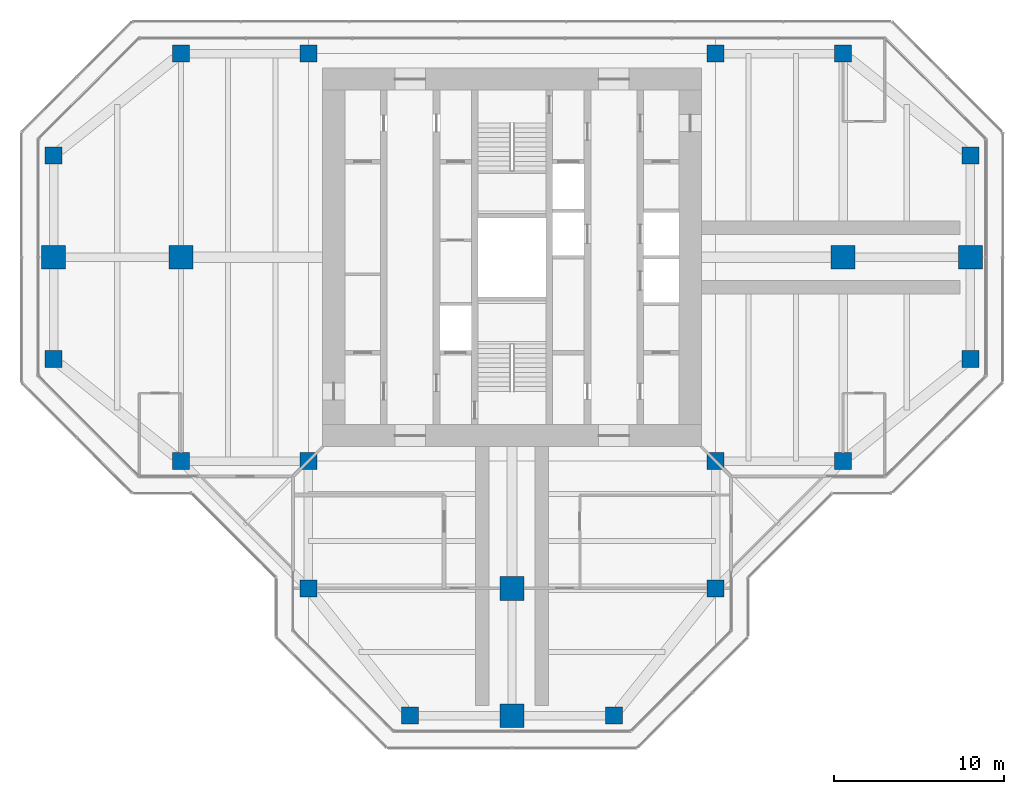
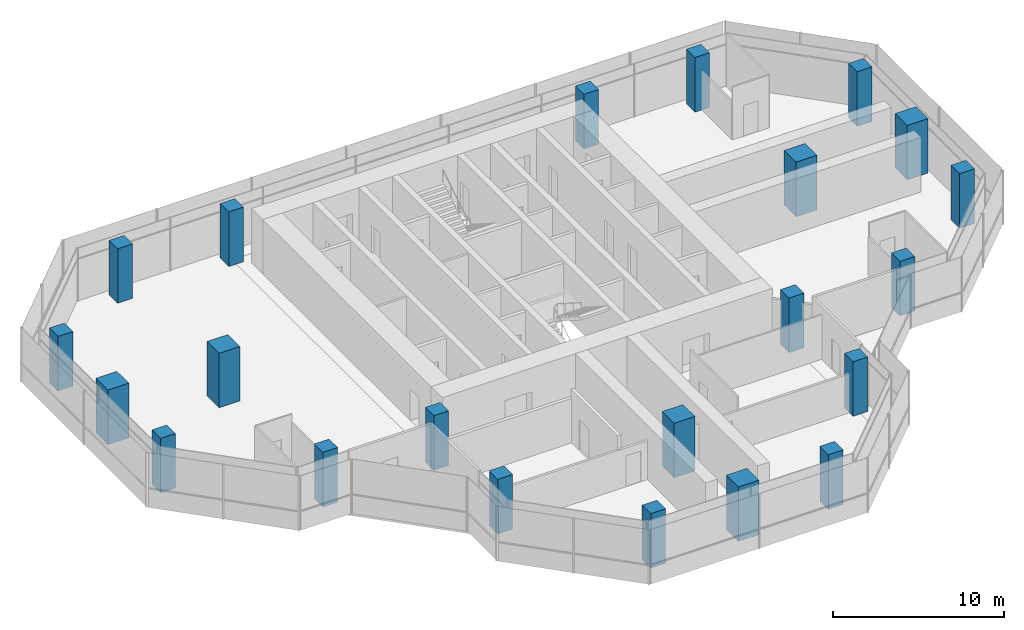
# One storey, part 1 of 15: 22 columns.
"""IFC4 building model written with IfcOpenShell, lengths in metres."""

from ifc_helpers import new_model, si_unit, direction, frame, origin, origin_2d, place, context, subcontext, project, spatial, rectangle, extrude, material, material_profile, profile_set, type_object, element, save


model = new_model("IFC4")

# Units and contexts
model_context = context("Model", 3, precision=1e-05, world=origin(), true_north=direction((0.0, 1.0)))
body_context = subcontext(model_context, "Body", "Model", "MODEL_VIEW")
ifc_project = project(units=[si_unit("LENGTHUNIT", "METRE"), si_unit("AREAUNIT", "SQUARE_METRE"), si_unit("VOLUMEUNIT", "CUBIC_METRE"), si_unit("PLANEANGLEUNIT", "RADIAN"), si_unit("MASSUNIT", "GRAM", prefix="KILO")], contexts=[model_context])

# Site, building, storey
site_placement = place(None, origin())
site = spatial("IfcSite", under=ifc_project, at=site_placement, CompositionType="ELEMENT")
building_placement = place(site_placement, origin())
building = spatial("IfcBuilding", under=site, at=building_placement, Name="Mizan Broadcast Tower", CompositionType="ELEMENT")
storey_placement = place(building_placement, frame((0.0, 0.0, 282.89990234375)))
storey = spatial("IfcBuildingStorey", under=building, at=storey_placement, Name="L67", CompositionType="ELEMENT", Elevation=282.89990234375)

# Columns
ifc_material_1 = material(Name="Concrete C70/85", Category="concrete")
ifc_material_profile_1 = material_profile(ifc_material_1, rectangle(XDim=1.0, YDim=1.0, at=origin_2d()), Name="RC 1000x1000")
ifc_profile_set_1 = profile_set([ifc_material_profile_1], Name="Concrete C70/85")
column_type_1 = type_object("IfcColumnType", Name="RC COLUMN 1000x1000 C70/85", PredefinedType="COLUMN", material=ifc_profile_set_1)
for number, where, z_axis, x_axis, name in (
    (1, (-6.0, -27.0, 0.0), (0.0, 0.0, 1.0), (1.0, 0.0, 0.0), "Column 5/B L67"),
    (2, (6.0, -27.0, 0.0), (0.0, 0.0, 1.0), (1.0, 0.0, 0.0), "Column 7/B L67"),
    (3, (-12.0, -19.5, 0.0), (0.0, 0.0, 1.0), (1.0, 0.0, 0.0), "Column 4/C L67"),
    (4, (12.0, -19.5, 0.0), (0.0, 0.0, 1.0), (1.0, 0.0, 0.0), "Column 8/C L67"),
    (5, (-19.5, -12.0, 0.0), (0.0, 0.0, 1.0), (1.0, 0.0, 0.0), "Column 3/D L67"),
    (6, (-12.0, -12.0, 0.0), (0.0, 0.0, 1.0), (1.0, 0.0, 0.0), "Column 4/D L67"),
    (7, (12.0, -12.0, 0.0), (0.0, 0.0, 1.0), (1.0, 0.0, 0.0), "Column 8/D L67"),
    (8, (19.5, -12.0, 0.0), (0.0, 0.0, 1.0), (1.0, 0.0, 0.0), "Column 9/D L67"),
    (9, (-27.0, -6.0, 0.0), (0.0, 0.0, 1.0), (1.0, 0.0, 0.0), "Column 2/E L67"),
    (10, (27.0, -6.0, 0.0), (0.0, 0.0, 1.0), (1.0, 0.0, 0.0), "Column 10/E L67"),
    (11, (-27.0, 6.0, 0.0), (0.0, 0.0, 1.0), (1.0, 0.0, 0.0), "Column 2/G L67"),
    (12, (27.0, 6.0, 0.0), (0.0, 0.0, 1.0), (1.0, 0.0, 0.0), "Column 10/G L67"),
    (13, (-19.5, 12.0, 0.0), (0.0, 0.0, 1.0), (1.0, 0.0, 0.0), "Column 3/H L67"),
    (14, (-12.0, 12.0, 0.0), (0.0, 0.0, 1.0), (1.0, 0.0, 0.0), "Column 4/H L67"),
    (15, (12.0, 12.0, 0.0), (0.0, 0.0, 1.0), (1.0, 0.0, 0.0), "Column 8/H L67"),
    (16, (19.5, 12.0, 0.0), (0.0, 0.0, 1.0), (1.0, 0.0, 0.0), "Column 9/H L67"),
):
    element("IfcColumn", number, at=place(storey_placement, frame(where, z_axis=z_axis, x_axis=x_axis)), inside=storey, type_object=column_type_1, Name=name, PredefinedType="COLUMN", context=body_context, shape_type="SweptSolid", body=[
        extrude(rectangle(XDim=1.0, YDim=1.0, at=origin_2d()), origin(), (0.0, 0.0, 1.0), 3.900146484375),
    ])
ifc_material_2 = material(Name="Concrete C70/85", Category="concrete")
ifc_material_profile_2 = material_profile(ifc_material_2, rectangle(XDim=1.39990234375, YDim=1.39990234375, at=origin_2d()), Name="RC 1400x1400")
ifc_profile_set_2 = profile_set([ifc_material_profile_2], Name="Concrete C70/85")
column_type_2 = type_object("IfcColumnType", Name="RC COLUMN 1400x1400 C70/85", PredefinedType="COLUMN", material=ifc_profile_set_2)
for number, where, z_axis, x_axis, name in (
    (17, (0.0, -27.0, 0.0), (0.0, 0.0, 1.0), (1.0, 0.0, 0.0), "Column 6/B L67"),
    (18, (0.0, -19.5, 0.0), (0.0, 0.0, 1.0), (1.0, 0.0, 0.0), "Column 6/C L67"),
    (19, (-27.0, 0.0, 0.0), (0.0, 0.0, 1.0), (1.0, 0.0, 0.0), "Column 2/F L67"),
    (20, (-19.5, 0.0, 0.0), (0.0, 0.0, 1.0), (1.0, 0.0, 0.0), "Column 3/F L67"),
    (21, (19.5, 0.0, 0.0), (0.0, 0.0, 1.0), (1.0, 0.0, 0.0), "Column 9/F L67"),
    (22, (27.0, 0.0, 0.0), (0.0, 0.0, 1.0), (1.0, 0.0, 0.0), "Column 10/F L67"),
):
    element("IfcColumn", number, at=place(storey_placement, frame(where, z_axis=z_axis, x_axis=x_axis)), inside=storey, type_object=column_type_2, Name=name, PredefinedType="COLUMN", context=body_context, shape_type="SweptSolid", body=[
        extrude(rectangle(XDim=1.39990234375, YDim=1.39990234375, at=origin_2d()), origin(), (0.0, 0.0, 1.0), 3.900146484375),
    ])

save(model, "model.ifc")
